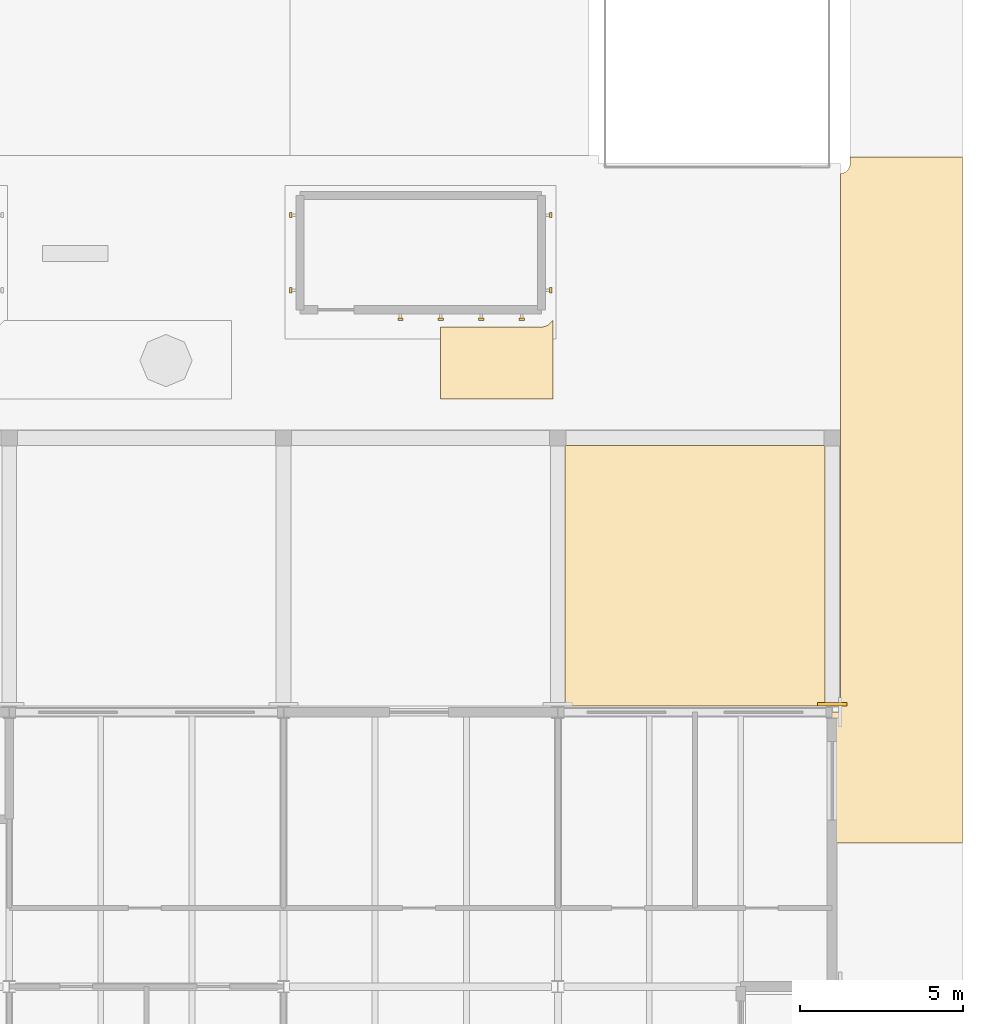
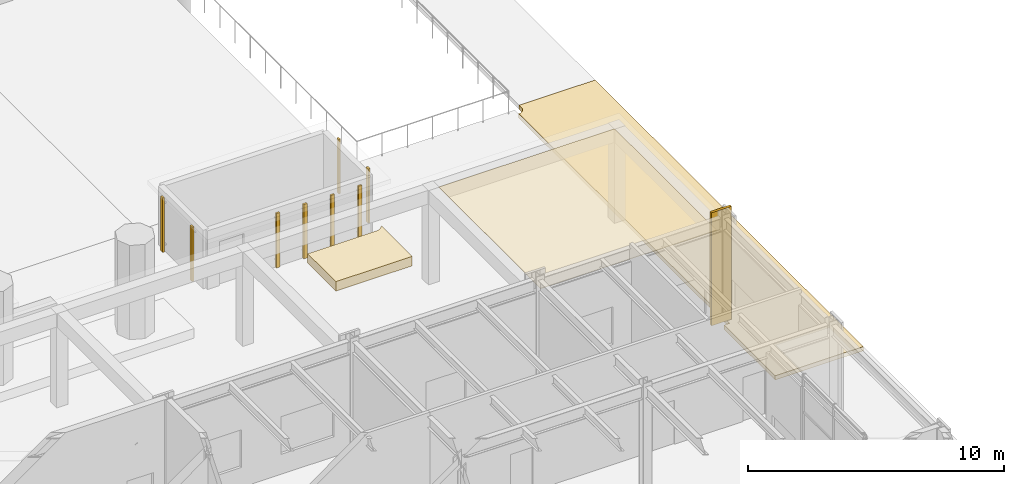
# One storey, part 123 of 127: 8 shading devices, 4 coverings.
"""IFC4 building model written with IfcOpenShell, lengths in metres."""

from ifc_helpers import new_model, si_unit, direction, frame, origin, origin_2d, place, context, subcontext, project, spatial, polyline, rectangle, outline, extrude, material, layer, layer_set, type_object, element, save


model = new_model("IFC4")

# Units and contexts
model_context = context("Model", 3, precision=1e-05, world=origin(), true_north=direction((0.0, 1.0)))
body_context = subcontext(model_context, "Body", "Model", "MODEL_VIEW")
ifc_project = project(units=[si_unit("LENGTHUNIT", "METRE"), si_unit("AREAUNIT", "SQUARE_METRE"), si_unit("VOLUMEUNIT", "CUBIC_METRE"), si_unit("PLANEANGLEUNIT", "RADIAN"), si_unit("MASSUNIT", "GRAM", prefix="KILO")], contexts=[model_context])

# Site, building, storey
site_placement = place(None, origin())
site = spatial("IfcSite", under=ifc_project, at=site_placement, CompositionType="ELEMENT")
building_placement = place(site_placement, origin())
building = spatial("IfcBuilding", under=site, at=building_placement, Name="Ljudholm Concert House", CompositionType="ELEMENT")
storey_placement = place(building_placement, origin())
storey = spatial("IfcBuildingStorey", under=building, at=storey_placement, Name="L00", CompositionType="ELEMENT", Elevation=0.0)

# Covering
ifc_material_1 = material(Name="Aluminium soffit panels, timber-grain PVDF finish", Category="aluminium")
ifc_layer_1 = layer(ifc_material_1, 0.02001953125)
ifc_layer_set_1 = layer_set([ifc_layer_1], Name="Aluminium soffit panels, timber-grain PVDF finish")
covering_type_1 = type_object("IfcCoveringType", Name="ALUMINIUM SOFFIT PANELS, TIMBER-GRAIN PVDF FINISH CEILING 20", PredefinedType="CEILING", material=ifc_layer_set_1)
covering_1_placement = place(storey_placement, frame((0.0, 0.0, 4.47998046875)))
element("IfcCovering", 1, at=covering_1_placement, inside=storey, type_object=covering_type_1, Name="Arcade soffit", PredefinedType="CEILING", context=body_context, shape_type="SweptSolid", body=[
    extrude(outline(polyline([(113.425048828125, 130.186767578125), (121.375, 130.186767578125), (121.375, 138.175048828125), (113.425048828125, 138.175048828125), (113.425048828125, 130.186767578125)])), origin(), (0.0, 0.0, 1.0), 0.02001953125),
])

# Shading devices
ifc_material_2 = material(Name="Aluminium extrusion with timber-grain PVDF finish", Category="aluminium")
shading_device_type = type_object("IfcShadingDeviceType", Name="FACADE FIN 80x160", PredefinedType="SHUTTER", material=ifc_material_2)
for number, where, z_axis, x_axis, name in (
    (2, (108.3779296875, 142.0400390625, 0.099853515625), (0.0, 0.0, 1.0), (0.0, -1.0, 0.0), "Facade fin"),
    (3, (109.616943359375, 142.0400390625, 0.099853515625), (0.0, 0.0, 1.0), (0.0, -1.0, 0.0), "Facade fin"),
    (4, (110.85595703125, 142.0400390625, 0.099853515625), (0.0, 0.0, 1.0), (0.0, -1.0, 0.0), "Facade fin"),
    (5, (112.094970703125, 142.0400390625, 0.099853515625), (0.0, 0.0, 1.0), (0.0, -1.0, 0.0), "Facade fin"),
    (6, (105.014892578125, 142.925048828125, 0.099853515625), (0.0, 0.0, 1.0), (-1.0, 0.0, 0.0), "Facade fin"),
    (7, (105.014892578125, 145.22509765625, 0.099853515625), (0.0, 0.0, 1.0), (-1.0, 0.0, 0.0), "Facade fin"),
    (8, (112.97998046875, 142.925048828125, 0.099853515625), (0.0, 0.0, 1.0), (1.0, 0.0, 0.0), "Facade fin"),
    (9, (112.97998046875, 145.22509765625, 0.099853515625), (0.0, 0.0, 1.0), (1.0, 0.0, 0.0), "Facade fin"),
):
    element("IfcShadingDevice", number, at=place(storey_placement, frame(where, z_axis=z_axis, x_axis=x_axis)), inside=storey, type_object=shading_device_type, Name=name, PredefinedType="SHUTTER", context=body_context, shape_type="SweptSolid", body=[
        extrude(rectangle(XDim=0.080078125, YDim=0.159912109375, at=origin_2d()), origin(), (0.0, 0.0, 1.0), 2.60009765625),
    ])

# Coverings
ifc_material_3 = material(Name="Planting soil and ground cover")
ifc_layer_2 = layer(ifc_material_3, 0.449951171875)
ifc_layer_set_2 = layer_set([ifc_layer_2], Name="Planting soil and ground cover")
covering_type_2 = type_object("IfcCoveringType", Name="PLANTING SOIL AND GROUND COVER FLOOR FINISH 450", PredefinedType="FLOORING", material=ifc_layer_set_2)
covering_2_placement = place(storey_placement, origin())
element("IfcCovering", 10, at=covering_2_placement, inside=storey, type_object=covering_type_2, Name="Planting bed", PredefinedType="FLOORING", context=body_context, shape_type="SweptSolid", body=[
    extrude(outline(polyline([(109.60009765625, 139.60009765625), (109.60009765625, 141.800048828125), (112.734130859375, 141.802001953125), (112.81103515625, 141.817138671875), (112.917236328125, 141.867431640625), (113.050048828125, 141.998291015625), (113.050048828125, 139.60009765625), (109.60009765625, 139.60009765625)])), origin(), (0.0, 0.0, 1.0), 0.449951171875),
])
ifc_material_4 = material(Name="Precast concrete pavers on compacted sand bed", Category="concrete")
ifc_layer_3 = layer(ifc_material_4, 0.199951171875)
ifc_layer_set_3 = layer_set([ifc_layer_3], Name="Precast concrete pavers on compacted sand bed")
covering_type_3 = type_object("IfcCoveringType", Name="PRECAST CONCRETE PAVERS ON COMPACTED SAND BED PAVING 200", PredefinedType="USERDEFINED", material=ifc_layer_set_3)
covering_3_placement = place(storey_placement, frame((0.0, 0.0, -0.199951171875)))
element("IfcCovering", 11, at=covering_3_placement, inside=storey, type_object=covering_type_3, Name="Paving", ObjectType="PAVING", PredefinedType="USERDEFINED", context=body_context, shape_type="SweptSolid", body=[
    extrude(outline(polyline([(125.590087890625, 126.0), (121.60009765625, 126.0), (121.60009765625, 130.0), (121.85009765625, 130.0), (121.85009765625, 146.5), (121.87939453125, 146.50146484375), (121.908447265625, 146.505859375), (121.93701171875, 146.512939453125), (121.96484375, 146.52294921875), (121.991455078125, 146.535400390625), (122.0166015625, 146.550537109375), (122.040283203125, 146.568115234375), (122.06201171875, 146.587890625), (122.081787109375, 146.609619140625), (122.099365234375, 146.63330078125), (122.114501953125, 146.65869140625), (122.127197265625, 146.685302734375), (122.136962890625, 146.712890625), (122.144287109375, 146.741455078125), (122.1484375, 146.7705078125), (122.14990234375, 146.800048828125), (122.14990234375, 147.0), (125.590087890625, 147.0), (125.590087890625, 126.0)])), origin(), (0.0, 0.0, 1.0), 0.199951171875),
])
ifc_material_5 = material(Name="Precast concrete, limestone aggregate", Category="masonry")
ifc_layer_4 = layer(ifc_material_5, 0.110107421875)
ifc_layer_set_4 = layer_set([ifc_layer_4], Name="Precast concrete, limestone aggregate")
covering_type_4 = type_object("IfcCoveringType", Name="PRECAST CONCRETE, LIMESTONE AGGREGATE CLADDING 110", PredefinedType="CLADDING", material=ifc_layer_set_4)
covering_4_placement = place(storey_placement, frame((121.60009765625, 130.2451171875, 0.0), z_axis=(0.0, 0.0, 1.0), x_axis=(0.0, 1.0, 0.0)))
element("IfcCovering", 12, at=covering_4_placement, inside=storey, type_object=covering_type_4, Name="Pilaster cladding", PredefinedType="CLADDING", context=body_context, shape_type="SweptSolid", body=[
    extrude(rectangle(XDim=0.110107421875, YDim=0.89990234375, at=origin_2d()), origin(), (0.0, 0.0, 1.0), 5.39990234375),
])

save(model, "model.ifc")
